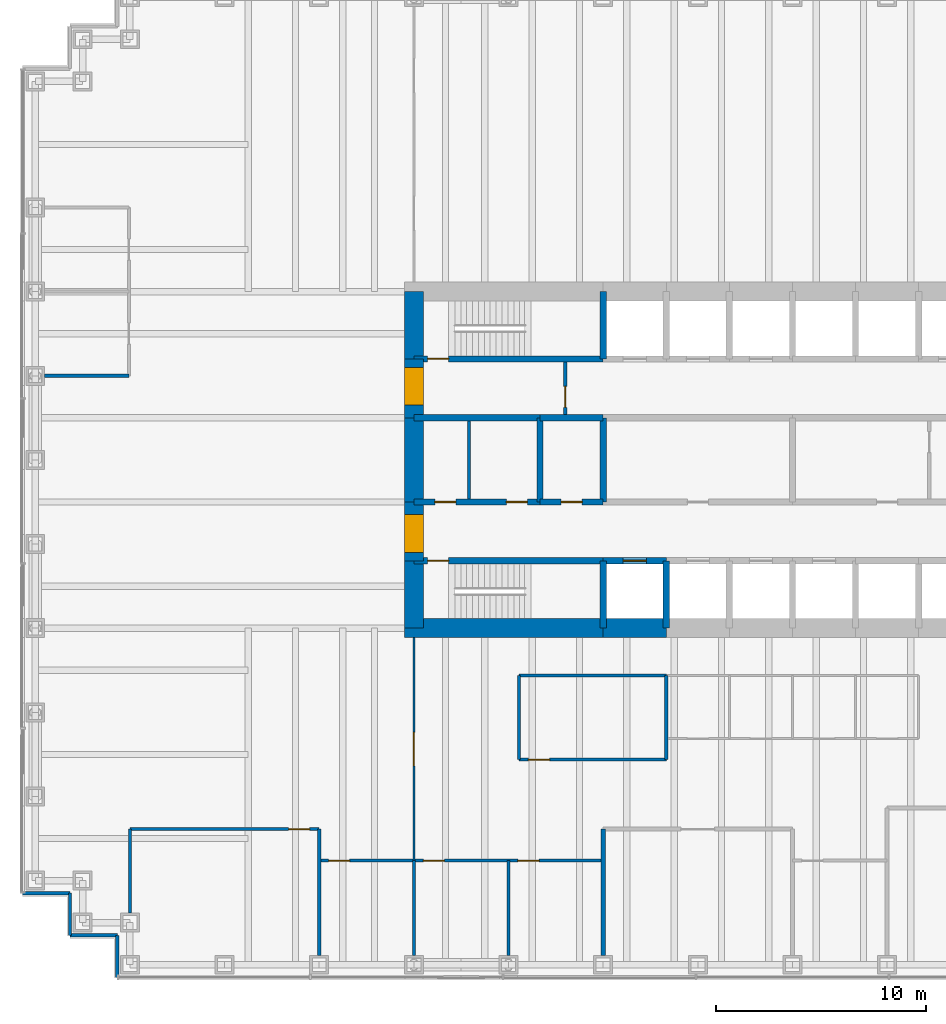
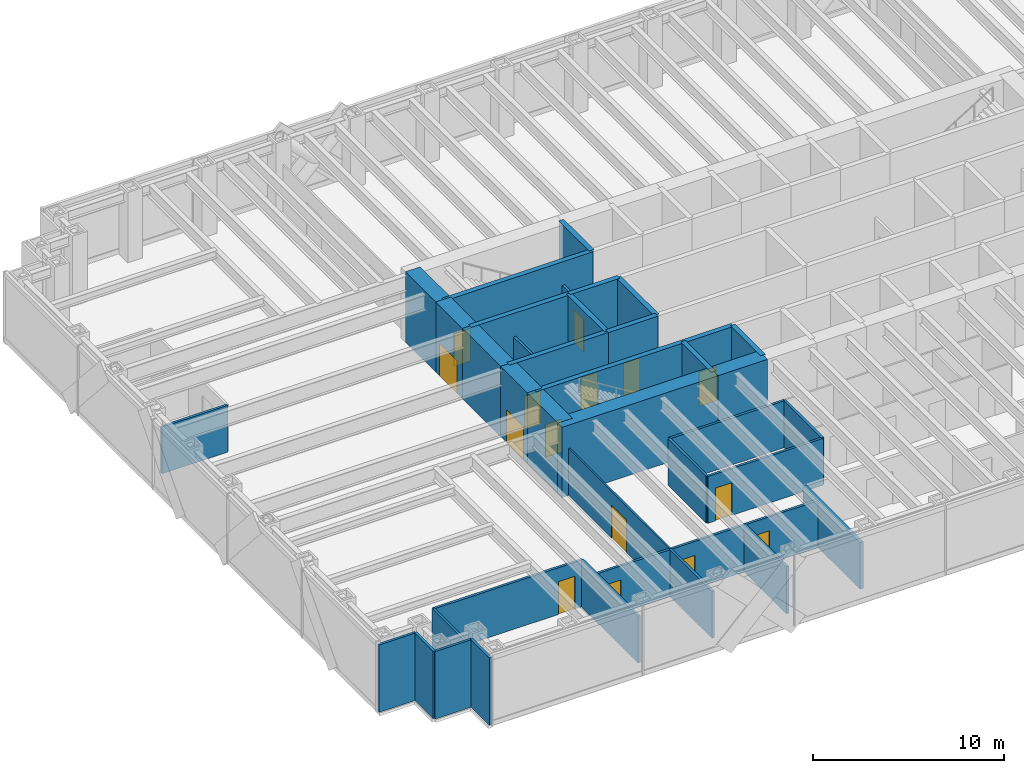
# One storey, part 9 of 13: 38 walls, 15 doors, 15 openings.
"""IFC4 building model written with IfcOpenShell, lengths in metres."""

from ifc_helpers import new_model, si_unit, direction, frame, frame_2d, origin, place, context, subcontext, project, spatial, rectangle, extrude, material, layer, layer_set, type_object, element, fill, save


model = new_model("IFC4")

# Units and contexts
model_context = context("Model", 3, precision=1e-05, world=origin(), true_north=direction((0.0, 1.0)))
body_context = subcontext(model_context, "Body", "Model", "MODEL_VIEW")
ifc_project = project(units=[si_unit("LENGTHUNIT", "METRE"), si_unit("AREAUNIT", "SQUARE_METRE"), si_unit("VOLUMEUNIT", "CUBIC_METRE"), si_unit("PLANEANGLEUNIT", "RADIAN"), si_unit("MASSUNIT", "GRAM", prefix="KILO")], contexts=[model_context])

# Site, building, storey
site_placement = place(None, origin())
site = spatial("IfcSite", under=ifc_project, at=site_placement, CompositionType="ELEMENT")
building_placement = place(site_placement, origin())
building = spatial("IfcBuilding", under=site, at=building_placement, Name="Rheinbord Bourse Tower", CompositionType="ELEMENT")
storey_placement = place(building_placement, frame((0.0, 0.0, 45.5)))
storey = spatial("IfcBuildingStorey", under=building, at=storey_placement, Name="L09", CompositionType="ELEMENT", Elevation=45.5)

# Wall
ifc_material_1 = material(Name="Acoustic gypsum board partition", Category="gypsum board")
ifc_layer_1 = layer(ifc_material_1, 0.199951171875)
ifc_layer_set_1 = layer_set([ifc_layer_1], Name="ACOUSTIC PARTITION 200")
wall_type_1 = type_object("IfcWallType", Name="ACOUSTIC PARTITION 200", PredefinedType="PARTITIONING", material=ifc_layer_set_1)
wall_1_placement = place(storey_placement, frame((27.0, 0.449951171875, 0.0), z_axis=(0.0, 0.0, 1.0), x_axis=(0.0, 1.0, 0.0)))
element("IfcWall", 1, at=wall_1_placement, inside=storey, type_object=wall_type_1, Name="Partition L09-28", PredefinedType="PARTITIONING", context=body_context, shape_type="SweptSolid", body=[
    extrude(rectangle(XDim=6.0, YDim=0.199951171875, at=frame_2d((3.0, 0.0))), origin(), (0.0, 0.0, 1.0), 3.0),
])

# Wall, opening, door
ifc_material_2 = material(Name="Concrete C50/60", Category="concrete")
ifc_layer_2 = layer(ifc_material_2, 0.300048828125)
ifc_layer_set_2 = layer_set([ifc_layer_2], Name="CORE INNER WALL 300")
wall_type_2 = type_object("IfcWallType", Name="CORE INNER WALL 300", PredefinedType="SOLIDWALL", material=ifc_layer_set_2)
wall_2_placement = place(storey_placement, frame((18.0, 19.199951171875, 0.0), z_axis=(0.0, 0.0, 1.0), x_axis=(1.0, 0.0, 0.0)))
wall_2 = element("IfcWall", 2, at=wall_2_placement, inside=storey, type_object=wall_type_2, Name="Core wall A1 L09", PredefinedType="SOLIDWALL", context=body_context, shape_type="SweptSolid", body=[
    extrude(rectangle(XDim=9.0, YDim=0.300048828125, at=frame_2d((4.5, 0.0))), origin(), (0.0, 0.0, 1.0), 4.5),
])
opening_1_placement = place(wall_2_placement, frame((0.64990234375, 0.0, 0.0)))
opening_1 = element("IfcOpeningElement", 3, at=opening_1_placement, cuts=wall_2, Name="Opening 0910", PredefinedType="OPENING", context=body_context, shape_type="SweptSolid", body=[
    extrude(rectangle(XDim=1.0, YDim=2.10009765625, at=frame_2d((0.5, 1.050048828125))), frame((0.0, 0.159912109375, 0.0), z_axis=(0.0, -1.0, 0.0), x_axis=(1.0, 0.0, 0.0)), (0.0, 0.0, 1.0), 0.320068359375),
])
ifc_material_3 = material(Name="Steel door", Category="steel")
door_type_1 = type_object("IfcDoorType", Name="DOOR 1000 EI30", OperationType="SINGLE_SWING_LEFT", PredefinedType="DOOR", material=ifc_material_3)
door_1_placement = place(opening_1_placement, origin())
door_1 = element("IfcDoor", 4, at=door_1_placement, inside=storey, type_object=door_type_1, Name="Stair door ST1 L09", OperationType="SINGLE_SWING_LEFT", OverallHeight=2.10009765625, OverallWidth=1.0, PredefinedType="DOOR", context=body_context, shape_type="SweptSolid", body=[
    extrude(rectangle(XDim=1.0, YDim=2.10009765625, at=frame_2d((0.5, 1.050048828125))), frame((0.0, 0.02490234375, 0.0), z_axis=(0.0, -1.0, 0.0), x_axis=(1.0, 0.0, 0.0)), (0.0, 0.0, 1.0), 0.050048828125),
])
fill(opening_1, door_1)

wall_3_placement = place(storey_placement, frame((27.0, 19.199951171875, 0.0), z_axis=(0.0, 0.0, 1.0), x_axis=(1.0, 0.0, 0.0)))
wall_3 = element("IfcWall", 5, at=wall_3_placement, inside=storey, type_object=wall_type_2, Name="Core wall A2 L09", PredefinedType="SOLIDWALL", context=body_context, shape_type="SweptSolid", body=[
    extrude(rectangle(XDim=3.0, YDim=0.300048828125, at=frame_2d((1.5, 0.0))), origin(), (0.0, 0.0, 1.0), 4.5),
])
opening_2_placement = place(wall_3_placement, frame((0.949951171875, 0.0, 0.0)))
opening_2 = element("IfcOpeningElement", 6, at=opening_2_placement, cuts=wall_3, Name="Opening FL1", PredefinedType="OPENING", context=body_context, shape_type="SweptSolid", body=[
    extrude(rectangle(XDim=1.10009765625, YDim=2.199951171875, at=frame_2d((0.550048828125, 1.10009765625))), frame((0.0, 0.159912109375, 0.0), z_axis=(0.0, -1.0, 0.0), x_axis=(1.0, 0.0, 0.0)), (0.0, 0.0, 1.0), 0.320068359375),
])
ifc_material_4 = material(Name="Steel landing door", Category="steel")
door_type_2 = type_object("IfcDoorType", Name="LIFT LANDING DOOR 1100", OperationType="DOUBLE_DOOR_SLIDING", PredefinedType="USERDEFINED", material=ifc_material_4)
door_2_placement = place(opening_2_placement, origin())
door_2 = element("IfcDoor", 7, at=door_2_placement, inside=storey, type_object=door_type_2, Name="Lift landing door FL1 L09", ObjectType="LIFT LANDING DOOR", OperationType="DOUBLE_DOOR_SLIDING", OverallHeight=2.199951171875, OverallWidth=1.10009765625, PredefinedType="USERDEFINED", context=body_context, shape_type="SweptSolid", body=[
    extrude(rectangle(XDim=1.10009765625, YDim=2.199951171875, at=frame_2d((0.550048828125, 1.10009765625))), frame((0.0, 0.02490234375, 0.0), z_axis=(0.0, -1.0, 0.0), x_axis=(1.0, 0.0, 0.0)), (0.0, 0.0, 1.0), 0.050048828125),
])
fill(opening_2, door_2)

wall_4_placement = place(storey_placement, frame((18.0, 28.800048828125, 0.0), z_axis=(0.0, 0.0, 1.0), x_axis=(1.0, 0.0, 0.0)))
wall_4 = element("IfcWall", 8, at=wall_4_placement, inside=storey, type_object=wall_type_2, Name="Core wall B1 L09", PredefinedType="SOLIDWALL", context=body_context, shape_type="SweptSolid", body=[
    extrude(rectangle(XDim=9.0, YDim=0.300048828125, at=frame_2d((4.5, 0.0))), origin(), (0.0, 0.0, 1.0), 4.5),
])
opening_3_placement = place(wall_4_placement, frame((0.64990234375, 0.0, 0.0)))
opening_3 = element("IfcOpeningElement", 9, at=opening_3_placement, cuts=wall_4, Name="Opening 0920", PredefinedType="OPENING", context=body_context, shape_type="SweptSolid", body=[
    extrude(rectangle(XDim=1.0, YDim=2.10009765625, at=frame_2d((0.5, 1.050048828125))), frame((0.0, 0.159912109375, 0.0), z_axis=(0.0, -1.0, 0.0), x_axis=(1.0, 0.0, 0.0)), (0.0, 0.0, 1.0), 0.320068359375),
])
door_3_placement = place(opening_3_placement, origin())
door_3 = element("IfcDoor", 10, at=door_3_placement, inside=storey, type_object=door_type_1, Name="Stair door ST2 L09", OperationType="SINGLE_SWING_LEFT", OverallHeight=2.10009765625, OverallWidth=1.0, PredefinedType="DOOR", context=body_context, shape_type="SweptSolid", body=[
    extrude(rectangle(XDim=1.0, YDim=2.10009765625, at=frame_2d((0.5, 1.050048828125))), frame((0.0, 0.02490234375, 0.0), z_axis=(0.0, -1.0, 0.0), x_axis=(1.0, 0.0, 0.0)), (0.0, 0.0, 1.0), 0.050048828125),
])
fill(opening_3, door_3)

# Wall, openings, doors
wall_5_placement = place(storey_placement, frame((18.0, 22.0, 0.0), z_axis=(0.0, 0.0, 1.0), x_axis=(1.0, 0.0, 0.0)))
wall_5 = element("IfcWall", 11, at=wall_5_placement, inside=storey, type_object=wall_type_2, Name="Core wall C1 L09", PredefinedType="SOLIDWALL", context=body_context, shape_type="SweptSolid", body=[
    extrude(rectangle(XDim=6.0, YDim=0.300048828125, at=frame_2d((3.0, 0.0))), origin(), (0.0, 0.0, 1.0), 4.5),
])
opening_4_placement = place(wall_5_placement, frame((4.39990234375, 0.0, 0.0)))
opening_4 = element("IfcOpeningElement", 12, at=opening_4_placement, cuts=wall_5, Name="Opening 09R1", PredefinedType="OPENING", context=body_context, shape_type="SweptSolid", body=[
    extrude(rectangle(XDim=1.0, YDim=2.10009765625, at=frame_2d((0.5, 1.050048828125))), frame((0.0, 0.159912109375, 0.0), z_axis=(0.0, -1.0, 0.0), x_axis=(1.0, 0.0, 0.0)), (0.0, 0.0, 1.0), 0.320068359375),
])
opening_5_placement = place(wall_5_placement, frame((1.0, 0.0, 0.0)))
opening_5 = element("IfcOpeningElement", 13, at=opening_5_placement, cuts=wall_5, Name="Opening 09R9", PredefinedType="OPENING", context=body_context, shape_type="SweptSolid", body=[
    extrude(rectangle(XDim=1.0, YDim=2.10009765625, at=frame_2d((0.5, 1.050048828125))), frame((0.0, 0.159912109375, 0.0), z_axis=(0.0, -1.0, 0.0), x_axis=(1.0, 0.0, 0.0)), (0.0, 0.0, 1.0), 0.320068359375),
])
door_4_placement = place(opening_5_placement, origin())
door_4 = element("IfcDoor", 14, at=door_4_placement, inside=storey, type_object=door_type_1, Name="Baby change door L09", OperationType="SINGLE_SWING_LEFT", OverallHeight=2.10009765625, OverallWidth=1.0, PredefinedType="DOOR", context=body_context, shape_type="SweptSolid", body=[
    extrude(rectangle(XDim=1.0, YDim=2.10009765625, at=frame_2d((0.5, 1.050048828125))), frame((0.0, 0.02490234375, 0.0), z_axis=(0.0, -1.0, 0.0), x_axis=(1.0, 0.0, 0.0)), (0.0, 0.0, 1.0), 0.050048828125),
])
fill(opening_5, door_4)
ifc_material_5 = material(Name="Timber door", Category="wood")
door_type_3 = type_object("IfcDoorType", Name="DOOR 1000 WC", OperationType="SINGLE_SWING_LEFT", PredefinedType="DOOR", material=ifc_material_5)
door_5_placement = place(opening_4_placement, origin())
door_5 = element("IfcDoor", 15, at=door_5_placement, inside=storey, type_object=door_type_3, Name="WC men door L09", OperationType="SINGLE_SWING_RIGHT", OverallHeight=2.10009765625, OverallWidth=1.0, PredefinedType="DOOR", context=body_context, shape_type="SweptSolid", body=[
    extrude(rectangle(XDim=1.0, YDim=2.10009765625, at=frame_2d((0.5, 1.050048828125))), frame((0.0, 0.02490234375, 0.0), z_axis=(0.0, -1.0, 0.0), x_axis=(1.0, 0.0, 0.0)), (0.0, 0.0, 1.0), 0.050048828125),
])
fill(opening_4, door_5)

# Wall, opening, door
wall_6_placement = place(storey_placement, frame((24.0, 22.0, 0.0), z_axis=(0.0, 0.0, 1.0), x_axis=(1.0, 0.0, 0.0)))
wall_6 = element("IfcWall", 16, at=wall_6_placement, inside=storey, type_object=wall_type_2, Name="Core wall C2 L09", PredefinedType="SOLIDWALL", context=body_context, shape_type="SweptSolid", body=[
    extrude(rectangle(XDim=3.0, YDim=0.300048828125, at=frame_2d((1.5, 0.0))), origin(), (0.0, 0.0, 1.0), 4.5),
])
opening_6_placement = place(wall_6_placement, frame((1.0, 0.0, 0.0)))
opening_6 = element("IfcOpeningElement", 17, at=opening_6_placement, cuts=wall_6, Name="Opening 09R2", PredefinedType="OPENING", context=body_context, shape_type="SweptSolid", body=[
    extrude(rectangle(XDim=1.0, YDim=2.10009765625, at=frame_2d((0.5, 1.050048828125))), frame((0.0, 0.159912109375, 0.0), z_axis=(0.0, -1.0, 0.0), x_axis=(1.0, 0.0, 0.0)), (0.0, 0.0, 1.0), 0.320068359375),
])
door_6_placement = place(opening_6_placement, origin())
door_6 = element("IfcDoor", 18, at=door_6_placement, inside=storey, type_object=door_type_1, Name="First aid room door L09", OperationType="SINGLE_SWING_LEFT", OverallHeight=2.10009765625, OverallWidth=1.0, PredefinedType="DOOR", context=body_context, shape_type="SweptSolid", body=[
    extrude(rectangle(XDim=1.0, YDim=2.10009765625, at=frame_2d((0.5, 1.050048828125))), frame((0.0, 0.02490234375, 0.0), z_axis=(0.0, -1.0, 0.0), x_axis=(1.0, 0.0, 0.0)), (0.0, 0.0, 1.0), 0.050048828125),
])
fill(opening_6, door_6)

# Walls
wall_7_placement = place(storey_placement, frame((18.0, 26.0, 0.0), z_axis=(0.0, 0.0, 1.0), x_axis=(1.0, 0.0, 0.0)))
element("IfcWall", 19, at=wall_7_placement, inside=storey, type_object=wall_type_2, Name="Core wall D1 L09", PredefinedType="SOLIDWALL", context=body_context, shape_type="SweptSolid", body=[
    extrude(rectangle(XDim=6.0, YDim=0.300048828125, at=frame_2d((3.0, 0.0))), origin(), (0.0, 0.0, 1.0), 4.5),
])
wall_8_placement = place(storey_placement, frame((24.0, 26.0, 0.0), z_axis=(0.0, 0.0, 1.0), x_axis=(1.0, 0.0, 0.0)))
element("IfcWall", 20, at=wall_8_placement, inside=storey, type_object=wall_type_2, Name="Core wall D2 L09", PredefinedType="SOLIDWALL", context=body_context, shape_type="SweptSolid", body=[
    extrude(rectangle(XDim=3.0, YDim=0.300048828125, at=frame_2d((1.5, 0.0))), origin(), (0.0, 0.0, 1.0), 4.5),
])
for number, where, z_axis, x_axis, name in (
    (21, (27.0, 16.0, 0.0), (0.0, 0.0, 1.0), (0.0, 1.0, 0.0), "Core wall SX27 L09"),
    (22, (27.0, 28.800048828125, 0.0), (0.0, 0.0, 1.0), (0.0, 1.0, 0.0), "Core wall NX27 L09"),
    (23, (30.0, 16.0, 0.0), (0.0, 0.0, 1.0), (0.0, 1.0, 0.0), "Core wall SX30 L09"),
):
    element("IfcWall", number, at=place(storey_placement, frame(where, z_axis=z_axis, x_axis=x_axis)), inside=storey, type_object=wall_type_2, Name=name, PredefinedType="SOLIDWALL", context=body_context, shape_type="SweptSolid", body=[
        extrude(rectangle(XDim=3.199951171875, YDim=0.300048828125, at=frame_2d((1.60009765625, 0.0))), origin(), (0.0, 0.0, 1.0), 4.5),
    ])
for number, where, z_axis, x_axis, name in (
    (24, (24.0, 22.0, 0.0), (0.0, 0.0, 1.0), (0.0, 1.0, 0.0), "Core wall MX24 L09"),
    (25, (27.0, 22.0, 0.0), (0.0, 0.0, 1.0), (0.0, 1.0, 0.0), "Core wall MX27 L09"),
):
    element("IfcWall", number, at=place(storey_placement, frame(where, z_axis=z_axis, x_axis=x_axis)), inside=storey, type_object=wall_type_2, Name=name, PredefinedType="SOLIDWALL", context=body_context, shape_type="SweptSolid", body=[
        extrude(rectangle(XDim=4.0, YDim=0.300048828125, at=frame_2d((2.0, 0.0))), origin(), (0.0, 0.0, 1.0), 4.5),
    ])
ifc_material_6 = material(Name="Gypsum board fire partition", Category="gypsum board")
ifc_layer_3 = layer(ifc_material_6, 0.14990234375)
ifc_layer_set_3 = layer_set([ifc_layer_3], Name="CORE PARTITION 150 EI30")
wall_type_3 = type_object("IfcWallType", Name="CORE PARTITION 150 EI30", PredefinedType="PARTITIONING", material=ifc_layer_set_3)
wall_9_placement = place(storey_placement, frame((20.625, 22.14990234375, 0.0), z_axis=(0.0, 0.0, 1.0), x_axis=(0.0, 1.0, 0.0)))
element("IfcWall", 26, at=wall_9_placement, inside=storey, type_object=wall_type_3, Name="Core partition L09-2", PredefinedType="PARTITIONING", context=body_context, shape_type="SweptSolid", body=[
    extrude(rectangle(XDim=3.7001953125, YDim=0.14990234375, at=frame_2d((1.85009765625, 0.0))), origin(), (0.0, 0.0, 1.0), 3.0),
])

# Wall, opening, door
wall_10_placement = place(storey_placement, frame((25.199951171875, 26.14990234375, 0.0), z_axis=(0.0, 0.0, 1.0), x_axis=(0.0, 1.0, 0.0)))
wall_10 = element("IfcWall", 27, at=wall_10_placement, inside=storey, type_object=wall_type_3, Name="Core partition L09-5", PredefinedType="PARTITIONING", context=body_context, shape_type="SweptSolid", body=[
    extrude(rectangle(XDim=2.5, YDim=0.14990234375, at=frame_2d((1.25, 0.0))), origin(), (0.0, 0.0, 1.0), 3.0),
])
opening_7_placement = place(wall_10_placement, frame((0.35009765625, 0.0, 0.0)))
opening_7 = element("IfcOpeningElement", 28, at=opening_7_placement, cuts=wall_10, Name="Opening 09L6", PredefinedType="OPENING", context=body_context, shape_type="SweptSolid", body=[
    extrude(rectangle(XDim=1.0, YDim=2.10009765625, at=frame_2d((0.5, 1.050048828125))), frame((0.0, 0.0849609375, 0.0), z_axis=(0.0, -1.0, 0.0), x_axis=(1.0, 0.0, 0.0)), (0.0, 0.0, 1.0), 0.169921875),
])
door_7_placement = place(opening_7_placement, origin())
door_7 = element("IfcDoor", 29, at=door_7_placement, inside=storey, type_object=door_type_1, Name="Stair lobby door L09", OperationType="SINGLE_SWING_LEFT", OverallHeight=2.10009765625, OverallWidth=1.0, PredefinedType="DOOR", context=body_context, shape_type="SweptSolid", body=[
    extrude(rectangle(XDim=1.0, YDim=2.10009765625, at=frame_2d((0.5, 1.050048828125))), frame((0.0, 0.02490234375, 0.0), z_axis=(0.0, -1.0, 0.0), x_axis=(1.0, 0.0, 0.0)), (0.0, 0.0, 1.0), 0.050048828125),
])
fill(opening_7, door_7)

# Walls
ifc_material_7 = material(Name="Concrete C50/60", Category="concrete")
ifc_layer_4 = layer(ifc_material_7, 0.89990234375)
ifc_layer_set_4 = layer_set([ifc_layer_4], Name="CORE WALL 900")
wall_type_4 = type_object("IfcWallType", Name="CORE WALL 900", PredefinedType="SHEAR", material=ifc_layer_set_4)
wall_11_placement = place(storey_placement, frame((17.550048828125, 16.0, 0.0), z_axis=(0.0, 0.0, 1.0), x_axis=(1.0, 0.0, 0.0)))
element("IfcWall", 30, at=wall_11_placement, inside=storey, type_object=wall_type_4, Name="Core wall S1 L09", PredefinedType="SHEAR", context=body_context, shape_type="SweptSolid", body=[
    extrude(rectangle(XDim=9.449951171875, YDim=0.89990234375, at=frame_2d((4.72509765625, 0.0))), origin(), (0.0, 0.0, 1.0), 4.5),
])
wall_12_placement = place(storey_placement, frame((27.0, 16.0, 0.0), z_axis=(0.0, 0.0, 1.0), x_axis=(1.0, 0.0, 0.0)))
element("IfcWall", 31, at=wall_12_placement, inside=storey, type_object=wall_type_4, Name="Core wall S2 L09", PredefinedType="SHEAR", context=body_context, shape_type="SweptSolid", body=[
    extrude(rectangle(XDim=3.0, YDim=0.89990234375, at=frame_2d((1.5, 0.0))), origin(), (0.0, 0.0, 1.0), 4.5),
])
wall_13_placement = place(storey_placement, frame((18.0, 32.0, 0.0), z_axis=(0.0, 0.0, 1.0), x_axis=(0.0, -1.0, 0.0)))
element("IfcWall", 32, at=wall_13_placement, inside=storey, type_object=wall_type_4, Name="Core wall W1 L09", PredefinedType="SHEAR", context=body_context, shape_type="SweptSolid", body=[
    extrude(rectangle(XDim=3.199951171875, YDim=0.89990234375, at=frame_2d((1.60009765625, 0.0))), origin(), (0.0, 0.0, 1.0), 4.5),
])

# Wall, opening, door
wall_14_placement = place(storey_placement, frame((18.0, 28.800048828125, 0.0), z_axis=(0.0, 0.0, 1.0), x_axis=(0.0, -1.0, 0.0)))
wall_14 = element("IfcWall", 33, at=wall_14_placement, inside=storey, type_object=wall_type_4, Name="Core wall W2 L09", PredefinedType="SHEAR", context=body_context, shape_type="SweptSolid", body=[
    extrude(rectangle(XDim=2.800048828125, YDim=0.89990234375, at=frame_2d((1.39990234375, 0.0))), origin(), (0.0, 0.0, 1.0), 4.5),
])
opening_8_placement = place(wall_14_placement, frame((0.39990234375, 0.0, 0.0)))
opening_8 = element("IfcOpeningElement", 34, at=opening_8_placement, cuts=wall_14, Name="Opening 09L2", PredefinedType="OPENING", context=body_context, shape_type="SweptSolid", body=[
    extrude(rectangle(XDim=1.800048828125, YDim=2.10009765625, at=frame_2d((0.89990234375, 1.050048828125))), frame((0.0, 0.4599609375, 0.0), z_axis=(0.0, -1.0, 0.0), x_axis=(1.0, 0.0, 0.0)), (0.0, 0.0, 1.0), 0.919921875),
])
ifc_material_8 = material(Name="Steel door", Category="steel")
door_type_4 = type_object("IfcDoorType", Name="DOOR 1800 EI30 DOUBLE", OperationType="DOUBLE_DOOR_DOUBLE_SWING", PredefinedType="DOOR", material=ifc_material_8)
door_8_placement = place(opening_8_placement, origin())
door_8 = element("IfcDoor", 35, at=door_8_placement, inside=storey, type_object=door_type_4, Name="Lobby door 2 L09", OperationType="SINGLE_SWING_LEFT", OverallHeight=2.10009765625, OverallWidth=1.800048828125, PredefinedType="DOOR", context=body_context, shape_type="SweptSolid", body=[
    extrude(rectangle(XDim=1.800048828125, YDim=2.10009765625, at=frame_2d((0.89990234375, 1.050048828125))), frame((0.0, 0.44970703125, 0.0), z_axis=(0.0, -1.0, 0.0), x_axis=(1.0, 0.0, 0.0)), (0.0, 0.0, 1.0), 0.8994140625),
])
fill(opening_8, door_8)

# Wall
wall_15_placement = place(storey_placement, frame((18.0, 26.0, 0.0), z_axis=(0.0, 0.0, 1.0), x_axis=(0.0, -1.0, 0.0)))
element("IfcWall", 36, at=wall_15_placement, inside=storey, type_object=wall_type_4, Name="Core wall W3 L09", PredefinedType="SHEAR", context=body_context, shape_type="SweptSolid", body=[
    extrude(rectangle(XDim=4.0, YDim=0.89990234375, at=frame_2d((2.0, 0.0))), origin(), (0.0, 0.0, 1.0), 4.5),
])

# Wall, opening, door
wall_16_placement = place(storey_placement, frame((18.0, 22.0, 0.0), z_axis=(0.0, 0.0, 1.0), x_axis=(0.0, -1.0, 0.0)))
wall_16 = element("IfcWall", 37, at=wall_16_placement, inside=storey, type_object=wall_type_4, Name="Core wall W4 L09", PredefinedType="SHEAR", context=body_context, shape_type="SweptSolid", body=[
    extrude(rectangle(XDim=2.800048828125, YDim=0.89990234375, at=frame_2d((1.39990234375, 0.0))), origin(), (0.0, 0.0, 1.0), 4.5),
])
opening_9_placement = place(wall_16_placement, frame((0.60009765625, 0.0, 0.0)))
opening_9 = element("IfcOpeningElement", 38, at=opening_9_placement, cuts=wall_16, Name="Opening 09L1", PredefinedType="OPENING", context=body_context, shape_type="SweptSolid", body=[
    extrude(rectangle(XDim=1.800048828125, YDim=2.10009765625, at=frame_2d((0.89990234375, 1.050048828125))), frame((0.0, 0.4599609375, 0.0), z_axis=(0.0, -1.0, 0.0), x_axis=(1.0, 0.0, 0.0)), (0.0, 0.0, 1.0), 0.919921875),
])
door_9_placement = place(opening_9_placement, origin())
door_9 = element("IfcDoor", 39, at=door_9_placement, inside=storey, type_object=door_type_4, Name="Lobby door 1 L09", OperationType="SINGLE_SWING_LEFT", OverallHeight=2.10009765625, OverallWidth=1.800048828125, PredefinedType="DOOR", context=body_context, shape_type="SweptSolid", body=[
    extrude(rectangle(XDim=1.800048828125, YDim=2.10009765625, at=frame_2d((0.89990234375, 1.050048828125))), frame((0.0, 0.44970703125, 0.0), z_axis=(0.0, -1.0, 0.0), x_axis=(1.0, 0.0, 0.0)), (0.0, 0.0, 1.0), 0.8994140625),
])
fill(opening_9, door_9)

# Walls
wall_17_placement = place(storey_placement, frame((18.0, 19.199951171875, 0.0), z_axis=(0.0, 0.0, 1.0), x_axis=(0.0, -1.0, 0.0)))
element("IfcWall", 40, at=wall_17_placement, inside=storey, type_object=wall_type_4, Name="Core wall W5 L09", PredefinedType="SHEAR", context=body_context, shape_type="SweptSolid", body=[
    extrude(rectangle(XDim=3.199951171875, YDim=0.89990234375, at=frame_2d((1.60009765625, 0.0))), origin(), (0.0, 0.0, 1.0), 4.5),
])
ifc_material_9 = material(Name="Black metal rainscreen panel", Category="aluminium")
ifc_layer_5 = layer(ifc_material_9, 0.14990234375)
ifc_layer_set_5 = layer_set([ifc_layer_5], Name="CORNER PIER CLADDING 150")
wall_type_5 = type_object("IfcWallType", Name="CORNER PIER CLADDING 150", PredefinedType="ELEMENTEDWALL", material=ifc_layer_set_5)
wall_18_placement = place(storey_placement, frame((-0.60009765625, 3.39990234375, 0.0), z_axis=(0.0, 0.0, 1.0), x_axis=(1.0, 0.0, 0.0)))
element("IfcWall", 41, at=wall_18_placement, inside=storey, type_object=wall_type_5, Name="Corner pier cladding L09 17", PredefinedType="ELEMENTEDWALL", context=body_context, shape_type="SweptSolid", body=[
    extrude(rectangle(XDim=2.25, YDim=0.14990234375, at=frame_2d((1.125, 0.0))), origin(), (0.0, 0.0, 1.0), 4.320068359375),
])
wall_19_placement = place(storey_placement, frame((1.64990234375, 3.39990234375, 0.0), z_axis=(0.0, 0.0, 1.0), x_axis=(0.0, -1.0, 0.0)))
element("IfcWall", 42, at=wall_19_placement, inside=storey, type_object=wall_type_5, Name="Corner pier cladding L09 18", PredefinedType="ELEMENTEDWALL", context=body_context, shape_type="SweptSolid", body=[
    extrude(rectangle(XDim=2.0, YDim=0.14990234375, at=frame_2d((1.0, 0.0))), origin(), (0.0, 0.0, 1.0), 4.320068359375),
])
wall_20_placement = place(storey_placement, frame((1.64990234375, 1.39990234375, 0.0), z_axis=(0.0, 0.0, 1.0), x_axis=(1.0, 0.0, 0.0)))
element("IfcWall", 43, at=wall_20_placement, inside=storey, type_object=wall_type_5, Name="Corner pier cladding L09 19", PredefinedType="ELEMENTEDWALL", context=body_context, shape_type="SweptSolid", body=[
    extrude(rectangle(XDim=2.25, YDim=0.14990234375, at=frame_2d((1.125, 0.0))), origin(), (0.0, 0.0, 1.0), 4.320068359375),
])
wall_21_placement = place(storey_placement, frame((3.89990234375, 1.39990234375, 0.0), z_axis=(0.0, 0.0, 1.0), x_axis=(0.0, -1.0, 0.0)))
element("IfcWall", 44, at=wall_21_placement, inside=storey, type_object=wall_type_5, Name="Corner pier cladding L09 20", PredefinedType="ELEMENTEDWALL", context=body_context, shape_type="SweptSolid", body=[
    extrude(rectangle(XDim=2.0, YDim=0.14990234375, at=frame_2d((1.0, 0.0))), origin(), (0.0, 0.0, 1.0), 4.320068359375),
])

# Wall, opening, door
ifc_material_10 = material(Name="Gypsum board fire partition", Category="gypsum board")
ifc_layer_6 = layer(ifc_material_10, 0.14990234375)
ifc_layer_set_6 = layer_set([ifc_layer_6], Name="FIRE PARTITION 150 EI60")
wall_type_6 = type_object("IfcWallType", Name="FIRE PARTITION 150 EI60", PredefinedType="PARTITIONING", material=ifc_layer_set_6)
wall_22_placement = place(storey_placement, frame((23.0, 9.75, 0.0), z_axis=(0.0, 0.0, 1.0), x_axis=(1.0, 0.0, 0.0)))
wall_22 = element("IfcWall", 45, at=wall_22_placement, inside=storey, type_object=wall_type_6, Name="Partition L09-07", PredefinedType="PARTITIONING", context=body_context, shape_type="SweptSolid", body=[
    extrude(rectangle(XDim=7.0, YDim=0.14990234375, at=frame_2d((3.5, 0.0))), origin(), (0.0, 0.0, 1.0), 3.0),
])
opening_10_placement = place(wall_22_placement, frame((0.449951171875, 0.0, 0.0)))
opening_10 = element("IfcOpeningElement", 46, at=opening_10_placement, cuts=wall_22, Name="Opening 09D09", PredefinedType="OPENING", context=body_context, shape_type="SweptSolid", body=[
    extrude(rectangle(XDim=1.0, YDim=2.10009765625, at=frame_2d((0.5, 1.050048828125))), frame((0.0, 0.0849609375, 0.0), z_axis=(0.0, -1.0, 0.0), x_axis=(1.0, 0.0, 0.0)), (0.0, 0.0, 1.0), 0.169921875),
])
ifc_material_11 = material(Name="Timber fire door", Category="wood")
door_type_5 = type_object("IfcDoorType", Name="FIRE DOOR 1000 EI60", OperationType="SINGLE_SWING_LEFT", PredefinedType="DOOR", material=ifc_material_11)
door_10_placement = place(opening_10_placement, origin())
door_10 = element("IfcDoor", 47, at=door_10_placement, inside=storey, type_object=door_type_5, Name="Comms room door L09", OperationType="SINGLE_SWING_LEFT", OverallHeight=2.10009765625, OverallWidth=1.0, PredefinedType="DOOR", context=body_context, shape_type="SweptSolid", body=[
    extrude(rectangle(XDim=1.0, YDim=2.10009765625, at=frame_2d((0.5, 1.050048828125))), frame((0.0, 0.02490234375, 0.0), z_axis=(0.0, -1.0, 0.0), x_axis=(1.0, 0.0, 0.0)), (0.0, 0.0, 1.0), 0.050048828125),
])
fill(opening_10, door_10)

# Walls
wall_23_placement = place(storey_placement, frame((23.0, 13.75, 0.0), z_axis=(0.0, 0.0, 1.0), x_axis=(1.0, 0.0, 0.0)))
element("IfcWall", 48, at=wall_23_placement, inside=storey, type_object=wall_type_6, Name="Partition L09-10", PredefinedType="PARTITIONING", context=body_context, shape_type="SweptSolid", body=[
    extrude(rectangle(XDim=7.0, YDim=0.14990234375, at=frame_2d((3.5, 0.0))), origin(), (0.0, 0.0, 1.0), 3.0),
])
for number, where, z_axis, x_axis, name in (
    (49, (23.0, 9.75, 0.0), (0.0, 0.0, 1.0), (0.0, 1.0, 0.0), "Partition L09-27"),
    (50, (30.0, 9.75, 0.0), (0.0, 0.0, 1.0), (0.0, 1.0, 0.0), "Partition L09-29"),
):
    element("IfcWall", number, at=place(storey_placement, frame(where, z_axis=z_axis, x_axis=x_axis)), inside=storey, type_object=wall_type_6, Name=name, PredefinedType="PARTITIONING", context=body_context, shape_type="SweptSolid", body=[
        extrude(rectangle(XDim=4.0, YDim=0.14990234375, at=frame_2d((2.0, 0.0))), origin(), (0.0, 0.0, 1.0), 3.0),
    ])

# Wall, opening, door
ifc_material_12 = material(Name="Toughened laminated glass partition", Category="glass")
ifc_layer_7 = layer(ifc_material_12, 0.10009765625)
ifc_layer_set_7 = layer_set([ifc_layer_7], Name="GLAZED PARTITION 100")
wall_type_7 = type_object("IfcWallType", Name="GLAZED PARTITION 100", PredefinedType="PARTITIONING", material=ifc_layer_set_7)
wall_24_placement = place(storey_placement, frame((18.0, 4.949951171875, 0.0), z_axis=(0.0, 0.0, 1.0), x_axis=(0.0, 1.0, 0.0)))
wall_24 = element("IfcWall", 51, at=wall_24_placement, inside=storey, type_object=wall_type_7, Name="Partition L09-24", PredefinedType="PARTITIONING", context=body_context, shape_type="SweptSolid", body=[
    extrude(rectangle(XDim=10.60009765625, YDim=0.10009765625, at=frame_2d((5.300048828125, 0.0))), origin(), (0.0, 0.0, 1.0), 3.0),
])
opening_11_placement = place(wall_24_placement, frame((4.5, 0.0, 0.0)))
opening_11 = element("IfcOpeningElement", 52, at=opening_11_placement, cuts=wall_24, Name="Opening 09D20", PredefinedType="OPENING", context=body_context, shape_type="SweptSolid", body=[
    extrude(rectangle(XDim=1.60009765625, YDim=2.10009765625, at=frame_2d((0.800048828125, 1.050048828125))), frame((0.0, 0.06005859375, 0.0), z_axis=(0.0, -1.0, 0.0), x_axis=(1.0, 0.0, 0.0)), (0.0, 0.0, 1.0), 0.1201171875),
])
ifc_material_13 = material(Name="Timber door", Category="wood")
door_type_6 = type_object("IfcDoorType", Name="DOUBLE ROOM DOOR 1600", OperationType="DOUBLE_DOOR_DOUBLE_SWING", PredefinedType="DOOR", material=ifc_material_13)
door_11_placement = place(opening_11_placement, origin())
door_11 = element("IfcDoor", 53, at=door_11_placement, inside=storey, type_object=door_type_6, Name="Open area door L09", OperationType="SINGLE_SWING_LEFT", OverallHeight=2.10009765625, OverallWidth=1.60009765625, PredefinedType="DOOR", context=body_context, shape_type="SweptSolid", body=[
    extrude(rectangle(XDim=1.60009765625, YDim=2.10009765625, at=frame_2d((0.800048828125, 1.050048828125))), frame((0.0, 0.02490234375, 0.0), z_axis=(0.0, -1.0, 0.0), x_axis=(1.0, 0.0, 0.0)), (0.0, 0.0, 1.0), 0.050048828125),
])
fill(opening_11, door_11)

# Wall, openings, doors
ifc_material_14 = material(Name="Gypsum board partition", Category="gypsum board")
ifc_layer_8 = layer(ifc_material_14, 0.14990234375)
ifc_layer_set_8 = layer_set([ifc_layer_8], Name="PARTITION 150")
wall_type_8 = type_object("IfcWallType", Name="PARTITION 150", PredefinedType="PARTITIONING", material=ifc_layer_set_8)
wall_25_placement = place(storey_placement, frame((13.5, 4.949951171875, 0.0), z_axis=(0.0, 0.0, 1.0), x_axis=(1.0, 0.0, 0.0)))
wall_25 = element("IfcWall", 54, at=wall_25_placement, inside=storey, type_object=wall_type_8, Name="Partition L09-01", PredefinedType="PARTITIONING", context=body_context, shape_type="SweptSolid", body=[
    extrude(rectangle(XDim=13.5, YDim=0.14990234375, at=frame_2d((6.75, 0.0))), origin(), (0.0, 0.0, 1.0), 3.0),
])
opening_12_placement = place(wall_25_placement, frame((0.449951171875, 0.0, 0.0)))
opening_12 = element("IfcOpeningElement", 55, at=opening_12_placement, cuts=wall_25, Name="Opening 09D01", PredefinedType="OPENING", context=body_context, shape_type="SweptSolid", body=[
    extrude(rectangle(XDim=1.0, YDim=2.10009765625, at=frame_2d((0.5, 1.050048828125))), frame((0.0, 0.0849609375, 0.0), z_axis=(0.0, -1.0, 0.0), x_axis=(1.0, 0.0, 0.0)), (0.0, 0.0, 1.0), 0.169921875),
])
opening_13_placement = place(wall_25_placement, frame((4.949951171875, 0.0, 0.0)))
opening_13 = element("IfcOpeningElement", 56, at=opening_13_placement, cuts=wall_25, Name="Opening 09D02", PredefinedType="OPENING", context=body_context, shape_type="SweptSolid", body=[
    extrude(rectangle(XDim=1.0, YDim=2.10009765625, at=frame_2d((0.5, 1.050048828125))), frame((0.0, 0.0849609375, 0.0), z_axis=(0.0, -1.0, 0.0), x_axis=(1.0, 0.0, 0.0)), (0.0, 0.0, 1.0), 0.169921875),
])
opening_14_placement = place(wall_25_placement, frame((9.449951171875, 0.0, 0.0)))
opening_14 = element("IfcOpeningElement", 57, at=opening_14_placement, cuts=wall_25, Name="Opening 09D03", PredefinedType="OPENING", context=body_context, shape_type="SweptSolid", body=[
    extrude(rectangle(XDim=1.0, YDim=2.10009765625, at=frame_2d((0.5, 1.050048828125))), frame((0.0, 0.0849609375, 0.0), z_axis=(0.0, -1.0, 0.0), x_axis=(1.0, 0.0, 0.0)), (0.0, 0.0, 1.0), 0.169921875),
])
ifc_material_15 = material(Name="Timber door", Category="wood")
door_type_7 = type_object("IfcDoorType", Name="ROOM DOOR 1000", OperationType="SINGLE_SWING_LEFT", PredefinedType="DOOR", material=ifc_material_15)
door_12_placement = place(opening_12_placement, origin())
door_12 = element("IfcDoor", 58, at=door_12_placement, inside=storey, type_object=door_type_7, Name="Office door L09", OperationType="SINGLE_SWING_LEFT", OverallHeight=2.10009765625, OverallWidth=1.0, PredefinedType="DOOR", context=body_context, shape_type="SweptSolid", body=[
    extrude(rectangle(XDim=1.0, YDim=2.10009765625, at=frame_2d((0.5, 1.050048828125))), frame((0.0, 0.02490234375, 0.0), z_axis=(0.0, -1.0, 0.0), x_axis=(1.0, 0.0, 0.0)), (0.0, 0.0, 1.0), 0.050048828125),
])
fill(opening_12, door_12)
door_13_placement = place(opening_13_placement, origin())
door_13 = element("IfcDoor", 59, at=door_13_placement, inside=storey, type_object=door_type_7, Name="Office door L09", OperationType="SINGLE_SWING_LEFT", OverallHeight=2.10009765625, OverallWidth=1.0, PredefinedType="DOOR", context=body_context, shape_type="SweptSolid", body=[
    extrude(rectangle(XDim=1.0, YDim=2.10009765625, at=frame_2d((0.5, 1.050048828125))), frame((0.0, 0.02490234375, 0.0), z_axis=(0.0, -1.0, 0.0), x_axis=(1.0, 0.0, 0.0)), (0.0, 0.0, 1.0), 0.050048828125),
])
fill(opening_13, door_13)
door_14_placement = place(opening_14_placement, origin())
door_14 = element("IfcDoor", 60, at=door_14_placement, inside=storey, type_object=door_type_7, Name="Office door L09", OperationType="SINGLE_SWING_RIGHT", OverallHeight=2.10009765625, OverallWidth=1.0, PredefinedType="DOOR", context=body_context, shape_type="SweptSolid", body=[
    extrude(rectangle(XDim=1.0, YDim=2.10009765625, at=frame_2d((0.5, 1.050048828125))), frame((0.0, 0.02490234375, 0.0), z_axis=(0.0, -1.0, 0.0), x_axis=(1.0, 0.0, 0.0)), (0.0, 0.0, 1.0), 0.050048828125),
])
fill(opening_14, door_14)

# Wall, opening, door
wall_26_placement = place(storey_placement, frame((4.5, 6.449951171875, 0.0), z_axis=(0.0, 0.0, 1.0), x_axis=(1.0, 0.0, 0.0)))
wall_26 = element("IfcWall", 61, at=wall_26_placement, inside=storey, type_object=wall_type_8, Name="Partition L09-03", PredefinedType="PARTITIONING", context=body_context, shape_type="SweptSolid", body=[
    extrude(rectangle(XDim=9.0, YDim=0.14990234375, at=frame_2d((4.5, 0.0))), origin(), (0.0, 0.0, 1.0), 3.0),
])
opening_15_placement = place(wall_26_placement, frame((7.550048828125, 0.0, 0.0)))
opening_15 = element("IfcOpeningElement", 62, at=opening_15_placement, cuts=wall_26, Name="Opening 09D05", PredefinedType="OPENING", context=body_context, shape_type="SweptSolid", body=[
    extrude(rectangle(XDim=1.0, YDim=2.10009765625, at=frame_2d((0.5, 1.050048828125))), frame((0.0, 0.0849609375, 0.0), z_axis=(0.0, -1.0, 0.0), x_axis=(1.0, 0.0, 0.0)), (0.0, 0.0, 1.0), 0.169921875),
])
door_15_placement = place(opening_15_placement, origin())
door_15 = element("IfcDoor", 63, at=door_15_placement, inside=storey, type_object=door_type_7, Name="Head of trading office door L09", OperationType="SINGLE_SWING_RIGHT", OverallHeight=2.10009765625, OverallWidth=1.0, PredefinedType="DOOR", context=body_context, shape_type="SweptSolid", body=[
    extrude(rectangle(XDim=1.0, YDim=2.10009765625, at=frame_2d((0.5, 1.050048828125))), frame((0.0, 0.02490234375, 0.0), z_axis=(0.0, -1.0, 0.0), x_axis=(1.0, 0.0, 0.0)), (0.0, 0.0, 1.0), 0.050048828125),
])
fill(opening_15, door_15)

# Walls
for number, where, z_axis, x_axis, name in (
    (64, (0.449951171875, 28.0, 0.0), (0.0, 0.0, 1.0), (1.0, 0.0, 0.0), "Partition L09-14"),
    (65, (4.5, 2.449951171875, 0.0), (0.0, 0.0, 1.0), (0.0, 1.0, 0.0), "Partition L09-21"),
):
    element("IfcWall", number, at=place(storey_placement, frame(where, z_axis=z_axis, x_axis=x_axis)), inside=storey, type_object=wall_type_8, Name=name, PredefinedType="PARTITIONING", context=body_context, shape_type="SweptSolid", body=[
        extrude(rectangle(XDim=4.0, YDim=0.14990234375, at=frame_2d((2.0, 0.0))), origin(), (0.0, 0.0, 1.0), 3.0),
    ])
wall_27_placement = place(storey_placement, frame((13.5, 0.449951171875, 0.0), z_axis=(0.0, 0.0, 1.0), x_axis=(0.0, 1.0, 0.0)))
element("IfcWall", 66, at=wall_27_placement, inside=storey, type_object=wall_type_8, Name="Partition L09-22", PredefinedType="PARTITIONING", context=body_context, shape_type="SweptSolid", body=[
    extrude(rectangle(XDim=6.0, YDim=0.14990234375, at=frame_2d((3.0, 0.0))), origin(), (0.0, 0.0, 1.0), 3.0),
])
for number, where, z_axis, x_axis, name in (
    (67, (18.0, 0.449951171875, 0.0), (0.0, 0.0, 1.0), (0.0, 1.0, 0.0), "Partition L09-23"),
    (68, (22.5, 0.449951171875, 0.0), (0.0, 0.0, 1.0), (0.0, 1.0, 0.0), "Partition L09-26"),
):
    element("IfcWall", number, at=place(storey_placement, frame(where, z_axis=z_axis, x_axis=x_axis)), inside=storey, type_object=wall_type_8, Name=name, PredefinedType="PARTITIONING", context=body_context, shape_type="SweptSolid", body=[
        extrude(rectangle(XDim=4.5, YDim=0.14990234375, at=frame_2d((2.25, 0.0))), origin(), (0.0, 0.0, 1.0), 3.0),
    ])

save(model, "model.ifc")
